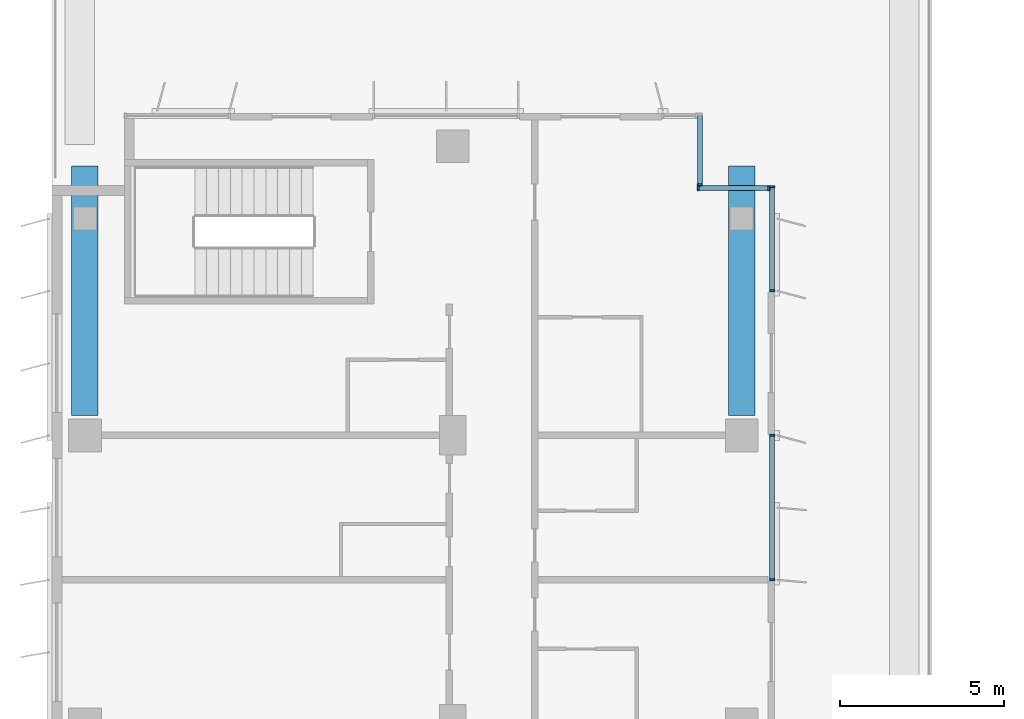
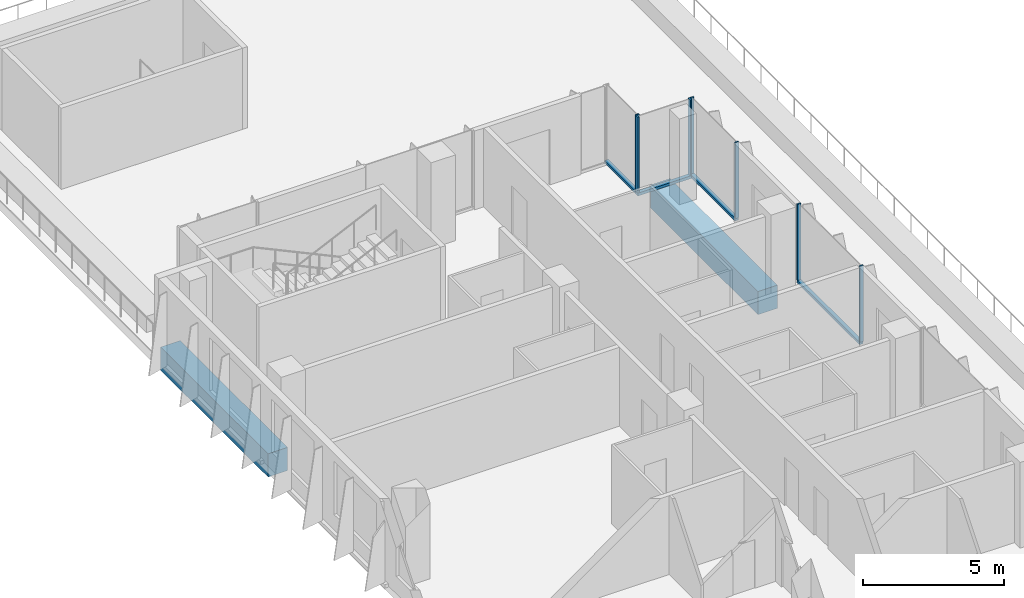
# One storey, part 6 of 22: 11 members, 2 beams, 4 elements without a shape of their own.
"""IFC4 building model written with IfcOpenShell, lengths in metres."""

from ifc_helpers import new_model, si_unit, direction, frame, origin, origin_2d, place, context, subcontext, project, spatial, rectangle, extrude, source, transform, mapped, material, material_profile, profile_set, type_object, element, aggregate, save


model = new_model("IFC4")

# Units and contexts
model_context = context("Model", 3, precision=1e-05, world=origin(), true_north=direction((0.0, 1.0)))
body_context = subcontext(model_context, "Body", "Model", "MODEL_VIEW")
ifc_project = project(units=[si_unit("LENGTHUNIT", "METRE"), si_unit("AREAUNIT", "SQUARE_METRE"), si_unit("VOLUMEUNIT", "CUBIC_METRE"), si_unit("PLANEANGLEUNIT", "RADIAN"), si_unit("MASSUNIT", "GRAM", prefix="KILO")], contexts=[model_context])

# Site, building, storey
site_placement = place(None, origin())
site = spatial("IfcSite", under=ifc_project, at=site_placement, CompositionType="ELEMENT")
building_placement = place(site_placement, origin())
building = spatial("IfcBuilding", under=site, at=building_placement, Name="Kemantara Hotel Tower", CompositionType="ELEMENT")
storey_placement = place(building_placement, frame((0.0, 0.0, 153.10009765625)))
storey = spatial("IfcBuildingStorey", under=building, at=storey_placement, Name="L37", CompositionType="ELEMENT", Elevation=153.10009765625)

# Beams
ifc_material_1 = material(Name="Concrete fc 60 MPa", Category="concrete")
ifc_material_profile_1 = material_profile(ifc_material_1, rectangle(XDim=0.800048828125, YDim=1.0, at=origin_2d()), Name="RC 800X1000")
ifc_profile_set_1 = profile_set([ifc_material_profile_1], Name="Concrete fc 60 MPa")
beam_type = type_object("IfcBeamType", Name="RC TRANSFER BEAM 800X1000 FC60", PredefinedType="BEAM", material=ifc_profile_set_1)
for number, where, z_axis, x_axis, name in (
    (1, (1.0, 54.39990234375, -0.800048828125), (0.0, 1.0, 0.0), (-1.0, 0.0, 0.0), "Transfer beam TB3 L37"),
    (2, (21.0, 54.39990234375, -0.800048828125), (0.0, 1.0, 0.0), (-1.0, 0.0, 0.0), "Transfer beam TB4 L37"),
):
    element("IfcBeam", number, at=place(storey_placement, frame(where, z_axis=z_axis, x_axis=x_axis)), inside=storey, type_object=beam_type, Name=name, PredefinedType="BEAM", context=body_context, shape_type="SweptSolid", body=[
        extrude(rectangle(XDim=0.800048828125, YDim=1.0, at=origin_2d()), origin(), (0.0, 0.0, 1.0), 7.60009765625),
    ])

# Curtain wall, member
ifc_material_2 = material(Name="Toughened tinted glass 32 mm", Category="glass")
curtain_wall_type = type_object("IfcCurtainWallType", Name="TERRACE GLAZING WALL", PredefinedType="USERDEFINED", material=ifc_material_2)
curtain_wall_1_placement = place(storey_placement, origin())
curtain_wall_1 = element("IfcCurtainWall", 3, at=curtain_wall_1_placement, inside=storey, type_object=curtain_wall_type, Name="CW6 L37 T3-R17-4", ObjectType="TERRACE GLAZING WALL", PredefinedType="USERDEFINED")
ifc_material_3 = material(Name="Aluminium 6063-T6 bronze anodised", Category="aluminium")
ifc_material_profile_2 = material_profile(ifc_material_3, rectangle(XDim=0.14990234375, YDim=0.1201171875, at=origin_2d()), Name="TERRACE GLAZING WALL TRANSOM")
ifc_profile_set_2 = profile_set([ifc_material_profile_2], Name="Aluminium 6063-T6 bronze anodised")
member_type_1 = type_object("IfcMemberType", Name="TERRACE GLAZING WALL TRANSOM", PredefinedType="USERDEFINED", material=ifc_profile_set_2)
member_1_placement = place(storey_placement, frame((21.925048828125, 49.39990234375, 0.059814453125), z_axis=(0.0, 1.0, 0.0), x_axis=(-1.0, 0.0, 0.0)))
member_1 = element("IfcMember", 4, at=member_1_placement, type_object=member_type_1, Name="CW6 sill transom T3-R17-4", ObjectType="TRANSOM", PredefinedType="USERDEFINED", context=body_context, shape_type="SweptSolid", body=[
    extrude(rectangle(XDim=0.14990234375, YDim=0.1201171875, at=origin_2d()), origin(), (0.0, 0.0, 1.0), 4.400146484375),
])

curtain_wall_2_placement = place(storey_placement, origin())
curtain_wall_2 = element("IfcCurtainWall", 5, at=curtain_wall_2_placement, inside=storey, type_object=curtain_wall_type, Name="CW6 L37 T3-R17-5", ObjectType="TERRACE GLAZING WALL", PredefinedType="USERDEFINED")
member_2_placement = place(storey_placement, frame((21.925048828125, 58.199951171875, 0.059814453125), z_axis=(0.0, 1.0, 0.0), x_axis=(-1.0, 0.0, 0.0)))
member_2 = element("IfcMember", 6, at=member_2_placement, type_object=member_type_1, Name="CW6 sill transom T3-R17-5", ObjectType="TRANSOM", PredefinedType="USERDEFINED", context=body_context, shape_type="SweptSolid", body=[
    extrude(rectangle(XDim=0.14990234375, YDim=0.1201171875, at=origin_2d()), origin(), (0.0, 0.0, 1.0), 3.199951171875),
])

curtain_wall_3_placement = place(storey_placement, origin())
curtain_wall_3 = element("IfcCurtainWall", 7, at=curtain_wall_3_placement, inside=storey, type_object=curtain_wall_type, Name="CW6 L37 T3-R00-1", ObjectType="TERRACE GLAZING WALL", PredefinedType="USERDEFINED")
member_3_placement = place(storey_placement, frame((21.85009765625, 61.324951171875, 0.059814453125), z_axis=(-1.0, 0.0, 0.0), x_axis=(0.0, -1.0, 0.0)))
member_3 = element("IfcMember", 8, at=member_3_placement, type_object=member_type_1, Name="CW6 sill transom T3-R00-1", ObjectType="TRANSOM", PredefinedType="USERDEFINED", context=body_context, shape_type="SweptSolid", body=[
    extrude(rectangle(XDim=0.14990234375, YDim=0.1201171875, at=origin_2d()), origin(), (0.0, 0.0, 1.0), 2.2001953125),
])

curtain_wall_4_placement = place(storey_placement, origin())
curtain_wall_4 = element("IfcCurtainWall", 9, at=curtain_wall_4_placement, inside=storey, type_object=curtain_wall_type, Name="CW6 L37 T3-R01-1", ObjectType="TERRACE GLAZING WALL", PredefinedType="USERDEFINED")
member_4_placement = place(storey_placement, frame((19.72509765625, 61.39990234375, 0.059814453125), z_axis=(0.0, 1.0, 0.0), x_axis=(-1.0, 0.0, 0.0)))
member_4 = element("IfcMember", 10, at=member_4_placement, type_object=member_type_1, Name="CW6 sill transom T3-R01-1", ObjectType="TRANSOM", PredefinedType="USERDEFINED", context=body_context, shape_type="SweptSolid", body=[
    extrude(rectangle(XDim=0.14990234375, YDim=0.1201171875, at=origin_2d()), origin(), (0.0, 0.0, 1.0), 2.2001953125),
])

# Member
ifc_material_profile_3 = material_profile(ifc_material_3, rectangle(XDim=0.14990234375, YDim=0.06005859375, at=origin_2d()), Name="TERRACE GLAZING WALL MULLION")
ifc_profile_set_3 = profile_set([ifc_material_profile_3], Name="Aluminium 6063-T6 bronze anodised")
member_type_2 = type_object("IfcMemberType", Name="TERRACE GLAZING WALL MULLION", PredefinedType="MULLION", material=ifc_profile_set_3)
shared_shape = source(origin(), body_context, "Body", "SweptSolid", [
    extrude(rectangle(XDim=0.14990234375, YDim=0.06005859375, at=origin_2d()), origin(), (0.0, 0.0, 1.0), 3.280029296875),
])
member_5_placement = place(storey_placement, frame((21.925048828125, 49.39990234375, 0.119873046875), z_axis=(0.0, 0.0, 1.0), x_axis=(-1.0, 0.0, 0.0)))
member_5 = element("IfcMember", 11, at=member_5_placement, type_object=member_type_2, Name="CW6 mullion T3-R17-4.1", PredefinedType="MULLION", context=body_context, shape_type="MappedRepresentation", body=[
    mapped(shared_shape, transform((0.0, 0.0, 0.0))),
])

member_6_placement = place(storey_placement, frame((21.925048828125, 53.800048828125, 0.119873046875), z_axis=(0.0, 0.0, 1.0), x_axis=(-1.0, 0.0, 0.0)))
member_6 = element("IfcMember", 12, at=member_6_placement, type_object=member_type_2, Name="CW6 mullion T3-R17-4.2", PredefinedType="MULLION", context=body_context, shape_type="MappedRepresentation", body=[
    mapped(shared_shape, transform((0.0, 0.0, 0.0))),
])

aggregate(curtain_wall_1, [member_1, member_5, member_6])

member_7_placement = place(storey_placement, frame((21.925048828125, 58.199951171875, 0.119873046875), z_axis=(0.0, 0.0, 1.0), x_axis=(-1.0, 0.0, 0.0)))
member_7 = element("IfcMember", 13, at=member_7_placement, type_object=member_type_2, Name="CW6 mullion T3-R17-5.1", PredefinedType="MULLION", context=body_context, shape_type="MappedRepresentation", body=[
    mapped(shared_shape, transform((0.0, 0.0, 0.0))),
])

member_8_placement = place(storey_placement, frame((21.925048828125, 61.3701171875, 0.119873046875), z_axis=(0.0, 0.0, 1.0), x_axis=(-1.0, 0.0, 0.0)))
member_8 = element("IfcMember", 14, at=member_8_placement, type_object=member_type_2, Name="CW6 mullion T3-R17-5.2", PredefinedType="MULLION", context=body_context, shape_type="MappedRepresentation", body=[
    mapped(shared_shape, transform((0.0, 0.0, 0.0))),
])

aggregate(curtain_wall_2, [member_2, member_7, member_8])

member_9_placement = place(storey_placement, frame((21.820068359375, 61.324951171875, 0.119873046875), z_axis=(0.0, 0.0, 1.0), x_axis=(0.0, -1.0, 0.0)))
member_9 = element("IfcMember", 15, at=member_9_placement, type_object=member_type_2, Name="CW6 mullion T3-R00-1.1", PredefinedType="MULLION", context=body_context, shape_type="MappedRepresentation", body=[
    mapped(shared_shape, transform((0.0, 0.0, 0.0))),
])

member_10_placement = place(storey_placement, frame((19.679931640625, 61.324951171875, 0.119873046875), z_axis=(0.0, 0.0, 1.0), x_axis=(0.0, -1.0, 0.0)))
member_10 = element("IfcMember", 16, at=member_10_placement, type_object=member_type_2, Name="CW6 mullion T3-R00-1.2", PredefinedType="MULLION", context=body_context, shape_type="MappedRepresentation", body=[
    mapped(shared_shape, transform((0.0, 0.0, 0.0))),
])

aggregate(curtain_wall_3, [member_3, member_9, member_10])

member_11_placement = place(storey_placement, frame((19.72509765625, 61.429931640625, 0.119873046875), z_axis=(0.0, 0.0, 1.0), x_axis=(-1.0, 0.0, 0.0)))
member_11 = element("IfcMember", 17, at=member_11_placement, type_object=member_type_2, Name="CW6 mullion T3-R01-1.1", PredefinedType="MULLION", context=body_context, shape_type="MappedRepresentation", body=[
    mapped(shared_shape, transform((0.0, 0.0, 0.0))),
])

aggregate(curtain_wall_4, [member_4, member_11])

save(model, "model.ifc")
